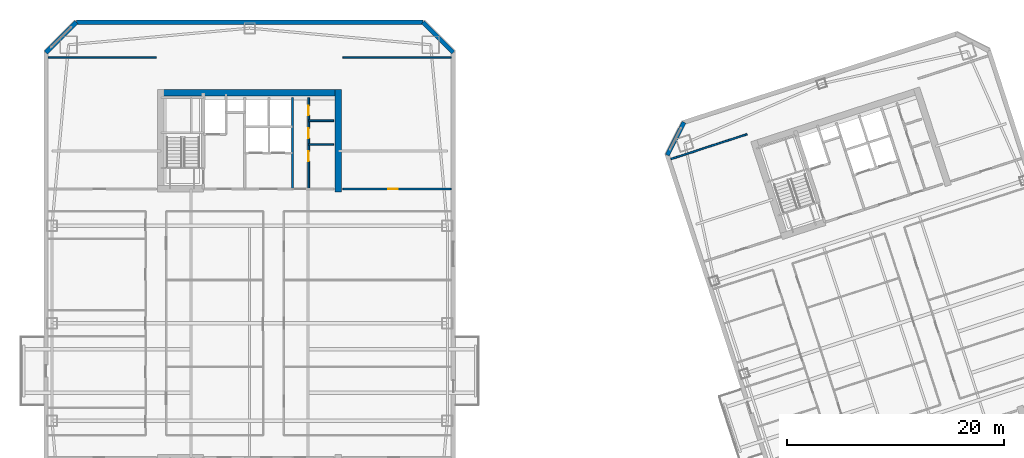
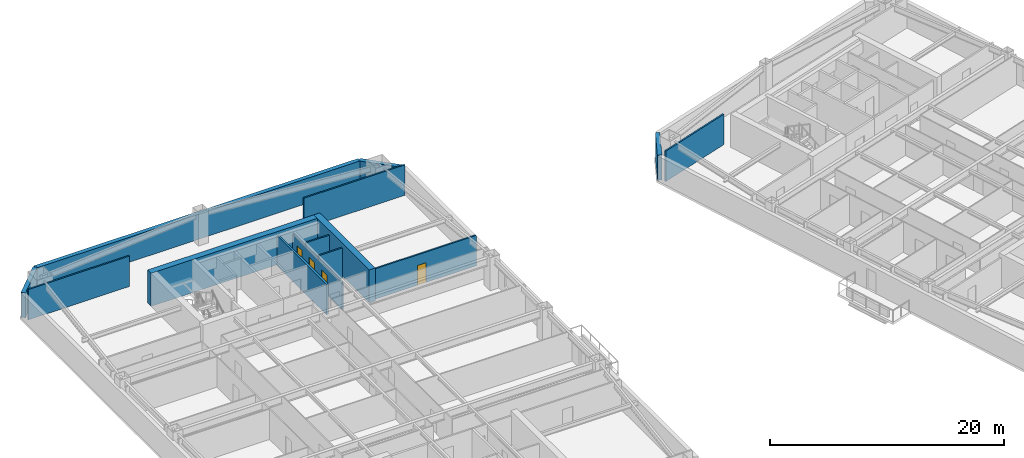
# One storey, part 14 of 22: 14 walls, 4 doors, 4 openings.
"""IFC4 building model written with IfcOpenShell, lengths in metres."""

from ifc_helpers import new_model, si_unit, direction, frame, frame_2d, origin, place, context, subcontext, project, spatial, rectangle, extrude, material, layer, layer_set, type_object, element, fill, save


model = new_model("IFC4")

# Units and contexts
model_context = context("Model", 3, precision=1e-05, world=origin(), true_north=direction((0.0, 1.0)))
body_context = subcontext(model_context, "Body", "Model", "MODEL_VIEW")
ifc_project = project(units=[si_unit("LENGTHUNIT", "METRE"), si_unit("AREAUNIT", "SQUARE_METRE"), si_unit("VOLUMEUNIT", "CUBIC_METRE"), si_unit("PLANEANGLEUNIT", "RADIAN"), si_unit("MASSUNIT", "GRAM", prefix="KILO")], contexts=[model_context])

# Site, building, storey
site_placement = place(None, origin())
site = spatial("IfcSite", under=ifc_project, at=site_placement, CompositionType="ELEMENT")
building_placement = place(site_placement, origin())
building = spatial("IfcBuilding", under=site, at=building_placement, Name="Qiaolan Cultural Towers", CompositionType="ELEMENT")
storey_placement = place(building_placement, frame((0.0, 0.0, 146.050048828125)))
storey = spatial("IfcBuildingStorey", under=building, at=storey_placement, Name="L38", CompositionType="ELEMENT", Elevation=146.050048828125)

# Walls
ifc_material_1 = material(Name="Concrete C55", Category="concrete")
ifc_layer_1 = layer(ifc_material_1, 0.60009765625)
ifc_layer_set_1 = layer_set([ifc_layer_1], Name="Concrete C55")
wall_type_1 = type_object("IfcWallType", Name="WL-CORE-600", PredefinedType="SHEAR", material=ifc_layer_set_1)
wall_1_placement = place(storey_placement, frame((21.5, 55.280029296875, 0.0), z_axis=(0.0, 0.0, 1.0), x_axis=(1.0, 0.0, 0.0)))
element("IfcWall", 1, at=wall_1_placement, inside=storey, type_object=wall_type_1, Name="L38 T1-CN Outer Core Shear Wall", PredefinedType="SHEAR", context=body_context, shape_type="SweptSolid", body=[
    extrude(rectangle(XDim=17.0, YDim=0.60009765625, at=frame_2d((8.5, 0.0))), origin(), (0.0, 0.0, 1.0), 3.449951171875),
])
wall_2_placement = place(storey_placement, frame((38.199951171875, 46.10009765625, 0.0), z_axis=(0.0, 0.0, 1.0), x_axis=(0.0, 1.0, 0.0)))
element("IfcWall", 2, at=wall_2_placement, inside=storey, type_object=wall_type_1, Name="L38 T1-CN East Core Shear Wall", PredefinedType="SHEAR", context=body_context, shape_type="SweptSolid", body=[
    extrude(rectangle(XDim=9.47998046875, YDim=0.60009765625, at=frame_2d((4.739990234375, 0.0))), origin(), (0.0, 0.0, 1.0), 3.449951171875),
])
ifc_material_2 = material(Name="Precast Concrete C50 Honed Stone Pier", Category="masonry")
ifc_layer_2 = layer(ifc_material_2, 0.39990234375)
ifc_layer_set_2 = layer_set([ifc_layer_2], Name="Precast Concrete C50 Honed Stone Pier")
wall_type_2 = type_object("IfcWallType", Name="WL-EXT-PIER-400", PredefinedType="SOLIDWALL", material=ifc_layer_set_2)
wall_3_placement = place(storey_placement, frame((11.199951171875, 59.0, 0.0), z_axis=(0.0, 0.0, 1.0), x_axis=(0.707106781187, 0.707106781187, 0.0)))
element("IfcWall", 3, at=wall_3_placement, inside=storey, type_object=wall_type_2, Name="L38 West Tower Precast Pier Facade Wall F2", PredefinedType="SOLIDWALL", context=body_context, shape_type="SweptSolid", body=[
    extrude(rectangle(XDim=3.9599609375, YDim=0.39990234375, at=frame_2d((1.97998046875, 0.0))), origin(), (0.0, 0.0, 1.0), 2.60986328125),
])
wall_4_placement = place(storey_placement, frame((14.0, 61.800048828125, 0.0), z_axis=(0.0, 0.0, 1.0), x_axis=(1.0, 0.0, 0.0)))
element("IfcWall", 4, at=wall_4_placement, inside=storey, type_object=wall_type_2, Name="L38 West Tower Precast Pier Facade Wall F3", PredefinedType="SOLIDWALL", context=body_context, shape_type="SweptSolid", body=[
    extrude(rectangle(XDim=32.0, YDim=0.39990234375, at=frame_2d((16.0, 0.0))), origin(), (0.0, 0.0, 1.0), 2.60986328125),
])
wall_5_placement = place(storey_placement, frame((46.0, 61.800048828125, 0.0), z_axis=(0.0, 0.0, 1.0), x_axis=(0.707106781187, -0.707106781187, 0.0)))
element("IfcWall", 5, at=wall_5_placement, inside=storey, type_object=wall_type_2, Name="L38 West Tower Precast Pier Facade Wall F4", PredefinedType="SOLIDWALL", context=body_context, shape_type="SweptSolid", body=[
    extrude(rectangle(XDim=3.9599609375, YDim=0.39990234375, at=frame_2d((1.97998046875, 0.0))), origin(), (0.0, 0.0, 1.0), 2.60986328125),
])
wall_6_placement = place(storey_placement, frame((68.550537109375, 49.531982421875, 0.0), z_axis=(0.0, 0.0, 1.0), x_axis=(0.454019523198, 0.890991735402, 0.0)))
element("IfcWall", 6, at=wall_6_placement, inside=storey, type_object=wall_type_2, Name="L38 East Tower Precast Pier Facade Wall F2", PredefinedType="SOLIDWALL", context=body_context, shape_type="SweptSolid", body=[
    extrude(rectangle(XDim=3.39404296875, YDim=0.39990234375, at=frame_2d((1.697021484375, 0.0))), origin(), (0.0, 0.0, 1.0), 2.60986328125),
])
ifc_material_3 = material(Name="Concrete C35 Fire Wall", Category="concrete")
ifc_layer_3 = layer(ifc_material_3, 0.199951171875)
ifc_layer_set_3 = layer_set([ifc_layer_3], Name="Concrete C35 Fire Wall")
wall_type_3 = type_object("IfcWallType", Name="WL-FIRE-200", PredefinedType="PARTITIONING", material=ifc_layer_set_3)
wall_7_placement = place(storey_placement, frame((33.949951171875, 46.39990234375, 0.0), z_axis=(0.0, 0.0, 1.0), x_axis=(0.0, 1.0, 0.0)))
element("IfcWall", 7, at=wall_7_placement, inside=storey, type_object=wall_type_3, Name="L38 T1-CN Lift Core East Wall", PredefinedType="PARTITIONING", context=body_context, shape_type="SweptSolid", body=[
    extrude(rectangle(XDim=8.43017578125, YDim=0.199951171875, at=frame_2d((4.215087890625, 0.0))), origin(), (0.0, 0.0, 1.0), 3.175048828125),
])

# Wall, openings, doors
ifc_material_4 = material(Name="Autoclaved Aerated Concrete Block B06", Category="concrete")
ifc_layer_4 = layer(ifc_material_4, 0.14990234375)
ifc_layer_set_4 = layer_set([ifc_layer_4], Name="Autoclaved Aerated Concrete Block B06")
wall_type_4 = type_object("IfcWallType", Name="WL-PART-150", PredefinedType="PARTITIONING", material=ifc_layer_set_4)
wall_8_placement = place(storey_placement, frame((35.449951171875, 46.39990234375, 0.0), z_axis=(0.0, 0.0, 1.0), x_axis=(0.0, 1.0, 0.0)))
wall_8 = element("IfcWall", 8, at=wall_8_placement, inside=storey, type_object=wall_type_4, Name="L38 T1-CN Sanitary Vestibule Wall", PredefinedType="PARTITIONING", context=body_context, shape_type="SweptSolid", body=[
    extrude(rectangle(XDim=8.43017578125, YDim=0.14990234375, at=frame_2d((4.215087890625, 0.0))), origin(), (0.0, 0.0, 1.0), 2.764892578125),
])
opening_1_placement = place(wall_8_placement, frame((2.550048828125, 0.0, 0.0)))
opening_1 = element("IfcOpeningElement", 9, at=opening_1_placement, cuts=wall_8, Name="Opening ID-05", PredefinedType="OPENING", context=body_context, shape_type="SweptSolid", body=[
    extrude(rectangle(XDim=0.949951171875, YDim=2.050048828125, at=frame_2d((0.47509765625, 1.02490234375))), frame((0.0, 0.0849609375, 0.0), z_axis=(0.0, -1.0, 0.0), x_axis=(1.0, 0.0, 0.0)), (0.0, 0.0, 1.0), 0.169921875),
])
opening_2_placement = place(wall_8_placement, frame((4.699951171875, 0.0, 0.0)))
opening_2 = element("IfcOpeningElement", 10, at=opening_2_placement, cuts=wall_8, Name="Opening ID-06", PredefinedType="OPENING", context=body_context, shape_type="SweptSolid", body=[
    extrude(rectangle(XDim=0.89990234375, YDim=2.050048828125, at=frame_2d((0.449951171875, 1.02490234375))), frame((0.0, 0.0849609375, 0.0), z_axis=(0.0, -1.0, 0.0), x_axis=(1.0, 0.0, 0.0)), (0.0, 0.0, 1.0), 0.169921875),
])
opening_3_placement = place(wall_8_placement, frame((6.800048828125, 0.0, 0.0)))
opening_3 = element("IfcOpeningElement", 11, at=opening_3_placement, cuts=wall_8, Name="Opening ID-06", PredefinedType="OPENING", context=body_context, shape_type="SweptSolid", body=[
    extrude(rectangle(XDim=0.89990234375, YDim=2.050048828125, at=frame_2d((0.449951171875, 1.02490234375))), frame((0.0, 0.0849609375, 0.0), z_axis=(0.0, -1.0, 0.0), x_axis=(1.0, 0.0, 0.0)), (0.0, 0.0, 1.0), 0.169921875),
])
ifc_material_5 = material(Name="Fire-Rated Laminate Core Service Door", Category="timber")
door_type_1 = type_object("IfcDoorType", Name="DR-INT-900", OperationType="NOTDEFINED", PredefinedType="DOOR", material=ifc_material_5)
door_1_placement = place(opening_2_placement, origin())
door_1 = element("IfcDoor", 12, at=door_1_placement, inside=storey, type_object=door_type_1, Name="L38 Men Washroom Door", OperationType="SINGLE_SWING_LEFT", OverallHeight=2.050048828125, OverallWidth=0.89990234375, PredefinedType="DOOR", context=body_context, shape_type="SweptSolid", body=[
    extrude(rectangle(XDim=0.89990234375, YDim=2.050048828125, at=frame_2d((0.449951171875, 1.02490234375))), frame((0.0, 0.02490234375, 0.0), z_axis=(0.0, -1.0, 0.0), x_axis=(1.0, 0.0, 0.0)), (0.0, 0.0, 1.0), 0.050048828125),
])
fill(opening_2, door_1)
door_2_placement = place(opening_3_placement, origin())
door_2 = element("IfcDoor", 13, at=door_2_placement, inside=storey, type_object=door_type_1, Name="L38 Women Washroom Door", OperationType="SINGLE_SWING_RIGHT", OverallHeight=2.050048828125, OverallWidth=0.89990234375, PredefinedType="DOOR", context=body_context, shape_type="SweptSolid", body=[
    extrude(rectangle(XDim=0.89990234375, YDim=2.050048828125, at=frame_2d((0.449951171875, 1.02490234375))), frame((0.0, 0.02490234375, 0.0), z_axis=(0.0, -1.0, 0.0), x_axis=(1.0, 0.0, 0.0)), (0.0, 0.0, 1.0), 0.050048828125),
])
fill(opening_3, door_2)
ifc_material_6 = material(Name="Fire-Rated Laminate Accessible Core Door", Category="timber")
door_type_2 = type_object("IfcDoorType", Name="DR-INT-950", OperationType="NOTDEFINED", PredefinedType="DOOR", material=ifc_material_6)
door_3_placement = place(opening_1_placement, origin())
door_3 = element("IfcDoor", 14, at=door_3_placement, inside=storey, type_object=door_type_2, Name="L38 Accessible Family Washroom Door", OperationType="SINGLE_SWING_LEFT", OverallHeight=2.050048828125, OverallWidth=0.949951171875, PredefinedType="DOOR", context=body_context, shape_type="SweptSolid", body=[
    extrude(rectangle(XDim=0.949951171875, YDim=2.050048828125, at=frame_2d((0.47509765625, 1.02490234375))), frame((0.0, 0.02490234375, 0.0), z_axis=(0.0, -1.0, 0.0), x_axis=(1.0, 0.0, 0.0)), (0.0, 0.0, 1.0), 0.050048828125),
])
fill(opening_1, door_3)

# Walls
for number, where, z_axis, x_axis, name in (
    (15, (35.449951171875, 50.5, 0.0), (0.0, 0.0, 1.0), (1.0, 0.0, 0.0), "L38 T1-CN Restroom Split Wall 1"),
    (16, (35.449951171875, 52.699951171875, 0.0), (0.0, 0.0, 1.0), (1.0, 0.0, 0.0), "L38 T1-CN Restroom Split Wall 2"),
):
    element("IfcWall", number, at=place(storey_placement, frame(where, z_axis=z_axis, x_axis=x_axis)), inside=storey, type_object=wall_type_4, Name=name, PredefinedType="PARTITIONING", context=body_context, shape_type="SweptSolid", body=[
        extrude(rectangle(XDim=2.300048828125, YDim=0.14990234375, at=frame_2d((1.14990234375, 0.0))), origin(), (0.0, 0.0, 1.0), 3.175048828125),
    ])
for number, where, z_axis, x_axis, name in (
    (17, (11.39990234375, 58.550048828125, 0.0), (0.0, 0.0, 1.0), (1.0, 0.0, 0.0), "L38 T1 Flank Wall FLK-NW"),
    (18, (38.60009765625, 58.550048828125, 0.0), (0.0, 0.0, 1.0), (1.0, 0.0, 0.0), "L38 T1 Flank Wall FLK-NE"),
):
    element("IfcWall", number, at=place(storey_placement, frame(where, z_axis=z_axis, x_axis=x_axis)), inside=storey, type_object=wall_type_4, Name=name, PredefinedType="PARTITIONING", context=body_context, shape_type="SweptSolid", body=[
        extrude(rectangle(XDim=10.0, YDim=0.14990234375, at=frame_2d((5.0, 0.0))), origin(), (0.0, 0.0, 1.0), 3.175048828125),
    ])

# Wall, opening, door
wall_9_placement = place(storey_placement, frame((38.60009765625, 46.39990234375, 0.0), z_axis=(0.0, 0.0, 1.0), x_axis=(1.0, 0.0, 0.0)))
wall_9 = element("IfcWall", 19, at=wall_9_placement, inside=storey, type_object=wall_type_4, Name="L38 T1 Flank Front FLK-NE", PredefinedType="PARTITIONING", context=body_context, shape_type="SweptSolid", body=[
    extrude(rectangle(XDim=10.0, YDim=0.14990234375, at=frame_2d((5.0, 0.0))), origin(), (0.0, 0.0, 1.0), 3.175048828125),
])
opening_4_placement = place(wall_9_placement, frame((4.199951171875, 0.0, 0.0)))
opening_4 = element("IfcOpeningElement", 20, at=opening_4_placement, cuts=wall_9, Name="Opening ID-09", PredefinedType="OPENING", context=body_context, shape_type="SweptSolid", body=[
    extrude(rectangle(XDim=0.85009765625, YDim=2.050048828125, at=frame_2d((0.425048828125, 1.02490234375))), frame((0.0, 0.0849609375, 0.0), z_axis=(0.0, -1.0, 0.0), x_axis=(1.0, 0.0, 0.0)), (0.0, 0.0, 1.0), 0.169921875),
])
ifc_material_7 = material(Name="Moisture-Resistant Laminate Utility Door", Category="timber")
door_type_3 = type_object("IfcDoorType", Name="DR-INT-850", OperationType="NOTDEFINED", PredefinedType="DOOR", material=ifc_material_7)
door_4_placement = place(opening_4_placement, origin())
door_4 = element("IfcDoor", 21, at=door_4_placement, inside=storey, type_object=door_type_3, Name="L38 T1 Corner Studio Door", OperationType="SINGLE_SWING_LEFT", OverallHeight=2.050048828125, OverallWidth=0.85009765625, PredefinedType="DOOR", context=body_context, shape_type="SweptSolid", body=[
    extrude(rectangle(XDim=0.85009765625, YDim=2.050048828125, at=frame_2d((0.425048828125, 1.02490234375))), frame((0.0, 0.02490234375, 0.0), z_axis=(0.0, -1.0, 0.0), x_axis=(1.0, 0.0, 0.0)), (0.0, 0.0, 1.0), 0.050048828125),
])
fill(opening_4, door_4)

# Wall
wall_10_placement = place(storey_placement, frame((68.8798828125, 49.165771484375, 0.0), z_axis=(0.0, 0.0, 1.0), x_axis=(0.951060977215, 0.309003264738, 0.0)))
element("IfcWall", 22, at=wall_10_placement, inside=storey, type_object=wall_type_4, Name="L38 T2 Flank Wall FLK-NW", PredefinedType="PARTITIONING", context=body_context, shape_type="SweptSolid", body=[
    extrude(rectangle(XDim=7.39990234375, YDim=0.14990234375, at=frame_2d((3.699951171875, 0.0))), origin(), (0.0, 0.0, 1.0), 3.175048828125),
])

save(model, "model.ifc")
